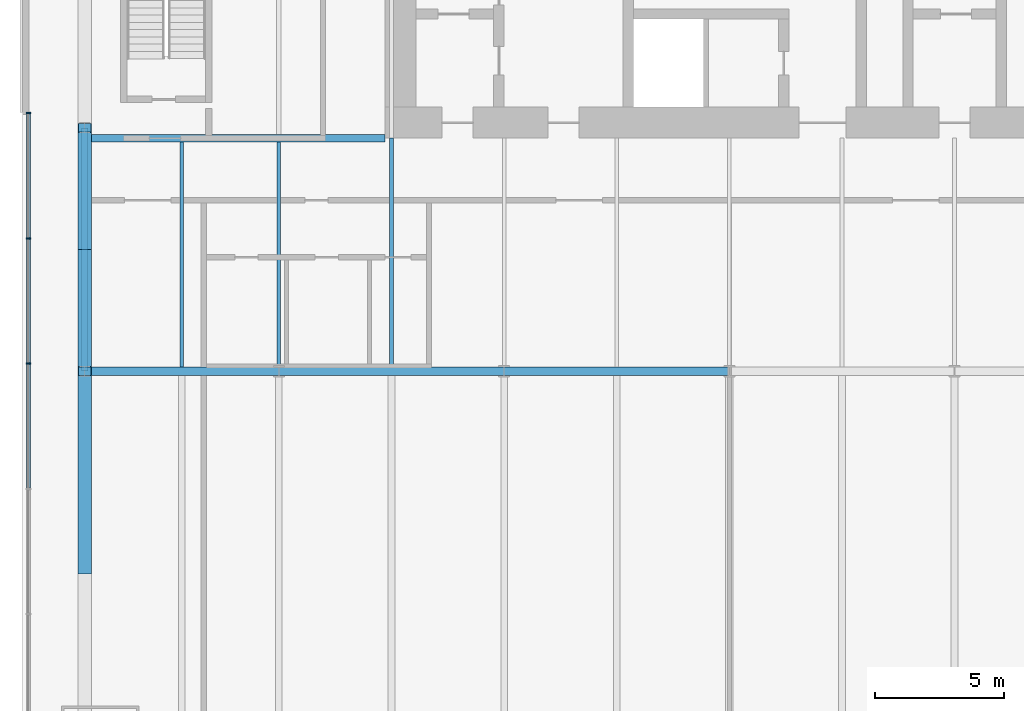
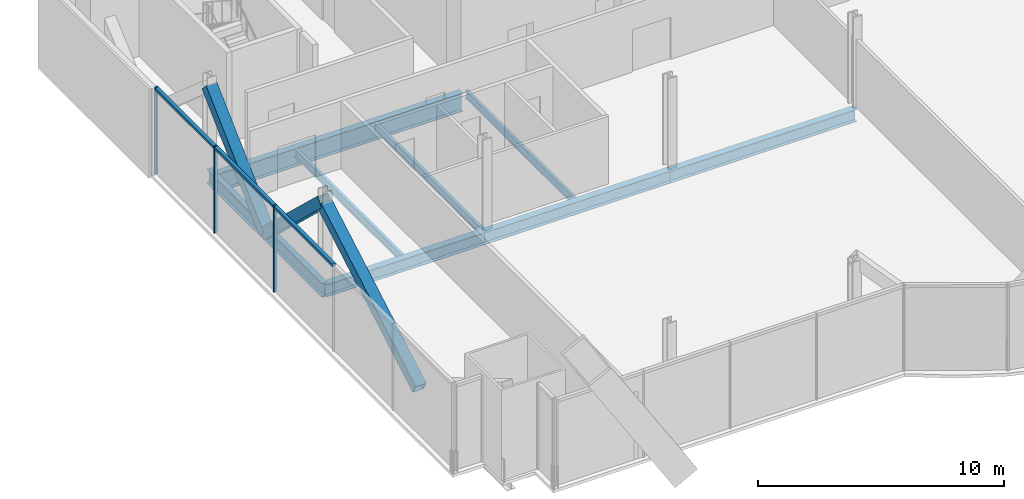
# One storey, part 6 of 21: 9 members, 8 beams, 1 element without a shape of its own.
"""IFC4 building model written with IfcOpenShell, lengths in metres."""

from ifc_helpers import new_model, si_unit, direction, frame, origin, origin_2d, place, context, subcontext, project, spatial, rectangle, hollow_rectangle, i_section, extrude, material, material_profile, profile_set, type_object, element, aggregate, save


model = new_model("IFC4")

# Units and contexts
model_context = context("Model", 3, precision=1e-05, world=origin(), true_north=direction((0.0, 1.0)))
body_context = subcontext(model_context, "Body", "Model", "MODEL_VIEW")
ifc_project = project(units=[si_unit("LENGTHUNIT", "METRE"), si_unit("AREAUNIT", "SQUARE_METRE"), si_unit("VOLUMEUNIT", "CUBIC_METRE"), si_unit("PLANEANGLEUNIT", "RADIAN"), si_unit("MASSUNIT", "GRAM", prefix="KILO")], contexts=[model_context])

# Site, building, storey
site_placement = place(None, origin())
site = spatial("IfcSite", under=ifc_project, at=site_placement, CompositionType="ELEMENT")
building_placement = place(site_placement, origin())
building = spatial("IfcBuilding", under=site, at=building_placement, Name="Bicima Exchange Tower", CompositionType="ELEMENT")
storey_placement = place(building_placement, frame((0.0, 0.0, 80.0)))
storey = spatial("IfcBuildingStorey", under=building, at=storey_placement, Name="L16", CompositionType="ELEMENT", Elevation=80.0)

# Beam
ifc_material_1 = material(Name="Steel ASTM A992 Gr 50", Category="steel")
ifc_material_profile_1 = material_profile(ifc_material_1, i_section(OverallWidth=0.3046875, OverallDepth=0.911865234375, WebThickness=0.015869140625, FlangeThickness=0.02392578125, at=origin_2d()))
ifc_profile_set_1 = profile_set([ifc_material_profile_1], Name="Steel ASTM A992 Gr 50")
beam_type_1 = type_object("IfcBeamType", Name="Core-line girder W36x150", PredefinedType="BEAM", material=ifc_profile_set_1)
beam_1_placement = place(storey_placement, frame((-22.0, -13.0, -0.60595703125), z_axis=(-1.0, 0.0, 0.0), x_axis=(0.0, -1.0, 0.0)))
element("IfcBeam", 1, at=beam_1_placement, inside=storey, type_object=beam_type_1, Name="Core-line girder", PredefinedType="BEAM", context=body_context, shape_type="SweptSolid", body=[
    extrude(i_section(OverallWidth=0.3046875, OverallDepth=0.911865234375, WebThickness=0.015869140625, FlangeThickness=0.02392578125, at=origin_2d()), origin(), (0.0, 0.0, 1.0), 11.60009765625),
])

# Curtain wall, members
ifc_material_2 = material(Name="Anodised bronze aluminium", Category="aluminium")
curtain_wall_type = type_object("IfcCurtainWallType", Name="End face glass wall", PredefinedType="NOTDEFINED", material=ifc_material_2)
curtain_wall_placement = place(storey_placement, origin())
curtain_wall = element("IfcCurtainWall", 2, at=curtain_wall_placement, inside=storey, type_object=curtain_wall_type, Name="End face glass wall L16 run 2", PredefinedType="NOTDEFINED")
ifc_material_profile_2 = material_profile(ifc_material_2, rectangle(XDim=0.159912109375, YDim=0.06005859375, at=origin_2d()))
ifc_profile_set_2 = profile_set([ifc_material_profile_2], Name="Anodised bronze aluminium")
member_type_1 = type_object("IfcMemberType", Name="End face glass wall mullion 60 x 160", PredefinedType="MULLION", material=ifc_profile_set_2)
member_1_placement = place(storey_placement, frame((-35.77001953125, -12.030029296875, 0.0), z_axis=(0.0, 0.0, 1.0), x_axis=(1.0, 0.0, 0.0)))
member_1 = element("IfcMember", 3, at=member_1_placement, type_object=member_type_1, Name="End face glass wall mullion 1", PredefinedType="MULLION", context=body_context, shape_type="SweptSolid", body=[
    extrude(rectangle(XDim=0.159912109375, YDim=0.06005859375, at=origin_2d()), origin(), (0.0, 0.0, 1.0), 4.300048828125),
])
member_2_placement = place(storey_placement, frame((-35.77001953125, -16.867919921875, 0.0), z_axis=(0.0, 0.0, 1.0), x_axis=(1.0, 0.0, 0.0)))
member_2 = element("IfcMember", 4, at=member_2_placement, type_object=member_type_1, Name="End face glass wall mullion 2", PredefinedType="MULLION", context=body_context, shape_type="SweptSolid", body=[
    extrude(rectangle(XDim=0.159912109375, YDim=0.06005859375, at=origin_2d()), origin(), (0.0, 0.0, 1.0), 4.300048828125),
])
member_3_placement = place(storey_placement, frame((-35.77001953125, -21.7060546875, 0.0), z_axis=(0.0, 0.0, 1.0), x_axis=(1.0, 0.0, 0.0)))
member_3 = element("IfcMember", 5, at=member_3_placement, type_object=member_type_1, Name="End face glass wall mullion 3", PredefinedType="MULLION", context=body_context, shape_type="SweptSolid", body=[
    extrude(rectangle(XDim=0.159912109375, YDim=0.06005859375, at=origin_2d()), origin(), (0.0, 0.0, 1.0), 4.300048828125),
])
ifc_material_profile_3 = material_profile(ifc_material_2, rectangle(XDim=0.159912109375, YDim=0.139892578125, at=origin_2d()))
ifc_profile_set_3 = profile_set([ifc_material_profile_3], Name="Anodised bronze aluminium")
member_type_2 = type_object("IfcMemberType", Name="End face glass wall transom 140 x 160", PredefinedType="USERDEFINED", material=ifc_profile_set_3)
member_4_placement = place(storey_placement, frame((-35.77001953125, -12.06005859375, 4.22998046875), z_axis=(0.0, -1.0, 0.0), x_axis=(1.0, 0.0, 0.0)))
member_4 = element("IfcMember", 6, at=member_4_placement, type_object=member_type_2, Name="End face glass wall transom 1.1", ObjectType="TRANSOM", PredefinedType="USERDEFINED", context=body_context, shape_type="SweptSolid", body=[
    extrude(rectangle(XDim=0.159912109375, YDim=0.139892578125, at=origin_2d()), origin(), (0.0, 0.0, 1.0), 4.77783203125),
])
member_5_placement = place(storey_placement, frame((-35.77001953125, -16.89794921875, 4.22998046875), z_axis=(0.0, -1.0, 0.0), x_axis=(1.0, 0.0, 0.0)))
member_5 = element("IfcMember", 7, at=member_5_placement, type_object=member_type_2, Name="End face glass wall transom 2.1", ObjectType="TRANSOM", PredefinedType="USERDEFINED", context=body_context, shape_type="SweptSolid", body=[
    extrude(rectangle(XDim=0.159912109375, YDim=0.139892578125, at=origin_2d()), origin(), (0.0, 0.0, 1.0), 4.778076171875),
])
member_6_placement = place(storey_placement, frame((-35.77001953125, -21.736083984375, 4.22998046875), z_axis=(0.0, -1.0, 0.0), x_axis=(1.0, 0.0, 0.0)))
member_6 = element("IfcMember", 8, at=member_6_placement, type_object=member_type_2, Name="End face glass wall transom 3.1", ObjectType="TRANSOM", PredefinedType="USERDEFINED", context=body_context, shape_type="SweptSolid", body=[
    extrude(rectangle(XDim=0.159912109375, YDim=0.139892578125, at=origin_2d()), origin(), (0.0, 0.0, 1.0), 4.77783203125),
])
aggregate(curtain_wall, [member_1, member_2, member_3, member_4, member_5, member_6])

# Beams
ifc_material_profile_4 = material_profile(ifc_material_1, i_section(OverallWidth=0.256591796875, OverallDepth=0.693359375, WebThickness=0.014404296875, FlangeThickness=0.023681640625, at=origin_2d()))
ifc_profile_set_4 = profile_set([ifc_material_profile_4], Name="Steel ASTM A992 Gr 50")
beam_type_2 = type_object("IfcBeamType", Name="End girder W27x114", PredefinedType="BEAM", material=ifc_profile_set_4)
beam_2_placement = place(storey_placement, frame((-33.60009765625, -12.60009765625, -0.49658203125), z_axis=(0.0, -1.0, 0.0), x_axis=(1.0, 0.0, 0.0)))
element("IfcBeam", 9, at=beam_2_placement, inside=storey, type_object=beam_type_2, Name="End girder", PredefinedType="BEAM", context=body_context, shape_type="SweptSolid", body=[
    extrude(i_section(OverallWidth=0.256591796875, OverallDepth=0.693359375, WebThickness=0.014404296875, FlangeThickness=0.023681640625, at=origin_2d()), origin(), (0.0, 0.0, 1.0), 9.39990234375),
])
ifc_material_profile_5 = material_profile(ifc_material_1, i_section(OverallWidth=0.140380859375, OverallDepth=0.40380859375, WebThickness=0.007080078125, FlangeThickness=0.01123046875, at=origin_2d()))
ifc_profile_set_5 = profile_set([ifc_material_profile_5], Name="Steel ASTM A992 Gr 50")
beam_type_3 = type_object("IfcBeamType", Name="Floor beam W16x31", PredefinedType="JOIST", material=ifc_profile_set_5)
for number, where, z_axis, x_axis, name in (
    (10, (-29.85009765625, -13.15234375, -0.351806640625), (0.0, -1.0, 0.0), (1.0, 0.0, 0.0), "Floor beam"),
    (11, (-26.10009765625, -13.15234375, -0.351806640625), (0.0, -1.0, 0.0), (1.0, 0.0, 0.0), "Floor beam"),
):
    element("IfcBeam", number, at=place(storey_placement, frame(where, z_axis=z_axis, x_axis=x_axis)), inside=storey, type_object=beam_type_3, Name=name, PredefinedType="JOIST", context=body_context, shape_type="SweptSolid", body=[
        extrude(i_section(OverallWidth=0.140380859375, OverallDepth=0.40380859375, WebThickness=0.007080078125, FlangeThickness=0.01123046875, at=origin_2d()), origin(), (0.0, 0.0, 1.0), 8.68505859375),
    ])
beam_3_placement = place(storey_placement, frame((-21.75, -13.0, -0.351806640625), z_axis=(0.0, -1.0, 0.0), x_axis=(1.0, 0.0, 0.0)))
element("IfcBeam", 12, at=beam_3_placement, inside=storey, type_object=beam_type_3, Name="Floor beam", PredefinedType="JOIST", context=body_context, shape_type="SweptSolid", body=[
    extrude(i_section(OverallWidth=0.140380859375, OverallDepth=0.40380859375, WebThickness=0.007080078125, FlangeThickness=0.01123046875, at=origin_2d()), origin(), (0.0, 0.0, 1.0), 8.83740234375),
])

# Members
ifc_material_3 = material(Name="Steel ASTM A572 Gr 50", Category="steel")
ifc_material_profile_6 = material_profile(ifc_material_3, hollow_rectangle(XDim=0.508056640625, YDim=0.508056640625, WallThickness=0.017822265625, at=origin_2d()))
ifc_profile_set_6 = profile_set([ifc_material_profile_6], Name="Steel ASTM A572 Gr 50")
member_type_3 = type_object("IfcMemberType", Name="Mega brace HSS20x20x3/4", PredefinedType="BRACE", material=ifc_profile_set_6)
for number, where, z_axis, x_axis, name in (
    (13, (-33.60009765625, -17.300048828125, -0.49658203125), (0.0, -0.726155846904, 0.687530134617), (1.0, 0.0, 0.0), "Mega brace west end"),
    (14, (-33.60009765625, -17.300048828125, -0.49658203125), (0.0, 0.726155846904, 0.687530134617), (-1.0, 0.0, 0.0), "Mega brace west end"),
):
    element("IfcMember", number, at=place(storey_placement, frame(where, z_axis=z_axis, x_axis=x_axis)), inside=storey, type_object=member_type_3, Name=name, PredefinedType="BRACE", context=body_context, shape_type="SweptSolid", body=[
        extrude(hollow_rectangle(XDim=0.508056640625, YDim=0.508056640625, WallThickness=0.017822265625, at=origin_2d()), origin(), (0.0, 0.0, 1.0), 6.472412109375),
    ])
member_7_placement = place(storey_placement, frame((-33.60009765625, -29.701904296875, -0.69482421875), z_axis=(0.0, 0.865866922677, 0.50027439692), x_axis=(-1.0, 0.0, 0.0)))
element("IfcMember", 15, at=member_7_placement, inside=storey, type_object=member_type_3, Name="Mega brace west end", PredefinedType="BRACE", context=body_context, shape_type="SweptSolid", body=[
    extrude(hollow_rectangle(XDim=0.508056640625, YDim=0.508056640625, WallThickness=0.017822265625, at=origin_2d()), origin(), (0.0, 0.0, 1.0), 8.89501953125),
])

# Beams
ifc_material_profile_7 = material_profile(ifc_material_1, i_section(OverallWidth=0.3251953125, OverallDepth=0.612060546875, WebThickness=0.0126953125, FlangeThickness=0.01904296875, at=origin_2d()))
ifc_profile_set_7 = profile_set([ifc_material_profile_7], Name="Steel ASTM A992 Gr 50")
beam_type_4 = type_object("IfcBeamType", Name="Row girder W24x104", PredefinedType="BEAM", material=ifc_profile_set_7)
beam_4_placement = place(storey_placement, frame((-33.60009765625, -22.0, -0.4560546875), z_axis=(1.0, 0.0, 0.0), x_axis=(0.0, 1.0, 0.0)))
element("IfcBeam", 16, at=beam_4_placement, inside=storey, type_object=beam_type_4, Name="Row girder", PredefinedType="BEAM", context=body_context, shape_type="SweptSolid", body=[
    extrude(i_section(OverallWidth=0.3251953125, OverallDepth=0.612060546875, WebThickness=0.0126953125, FlangeThickness=0.01904296875, at=origin_2d()), origin(), (0.0, 0.0, 1.0), 7.5),
])
beam_5_placement = place(storey_placement, frame((-26.10009765625, -22.0, -0.4560546875), z_axis=(1.0, 0.0, 0.0), x_axis=(0.0, 1.0, 0.0)))
element("IfcBeam", 17, at=beam_5_placement, inside=storey, type_object=beam_type_4, Name="Row girder", PredefinedType="BEAM", context=body_context, shape_type="SweptSolid", body=[
    extrude(i_section(OverallWidth=0.3251953125, OverallDepth=0.612060546875, WebThickness=0.0126953125, FlangeThickness=0.01904296875, at=origin_2d()), origin(), (0.0, 0.0, 1.0), 8.7001953125),
])
beam_6_placement = place(storey_placement, frame((-17.39990234375, -22.0, -0.4560546875), z_axis=(1.0, 0.0, 0.0), x_axis=(0.0, 1.0, 0.0)))
element("IfcBeam", 18, at=beam_6_placement, inside=storey, type_object=beam_type_4, Name="Row girder", PredefinedType="BEAM", context=body_context, shape_type="SweptSolid", body=[
    extrude(i_section(OverallWidth=0.3251953125, OverallDepth=0.612060546875, WebThickness=0.0126953125, FlangeThickness=0.01904296875, at=origin_2d()), origin(), (0.0, 0.0, 1.0), 8.699951171875),
])

save(model, "model.ifc")
